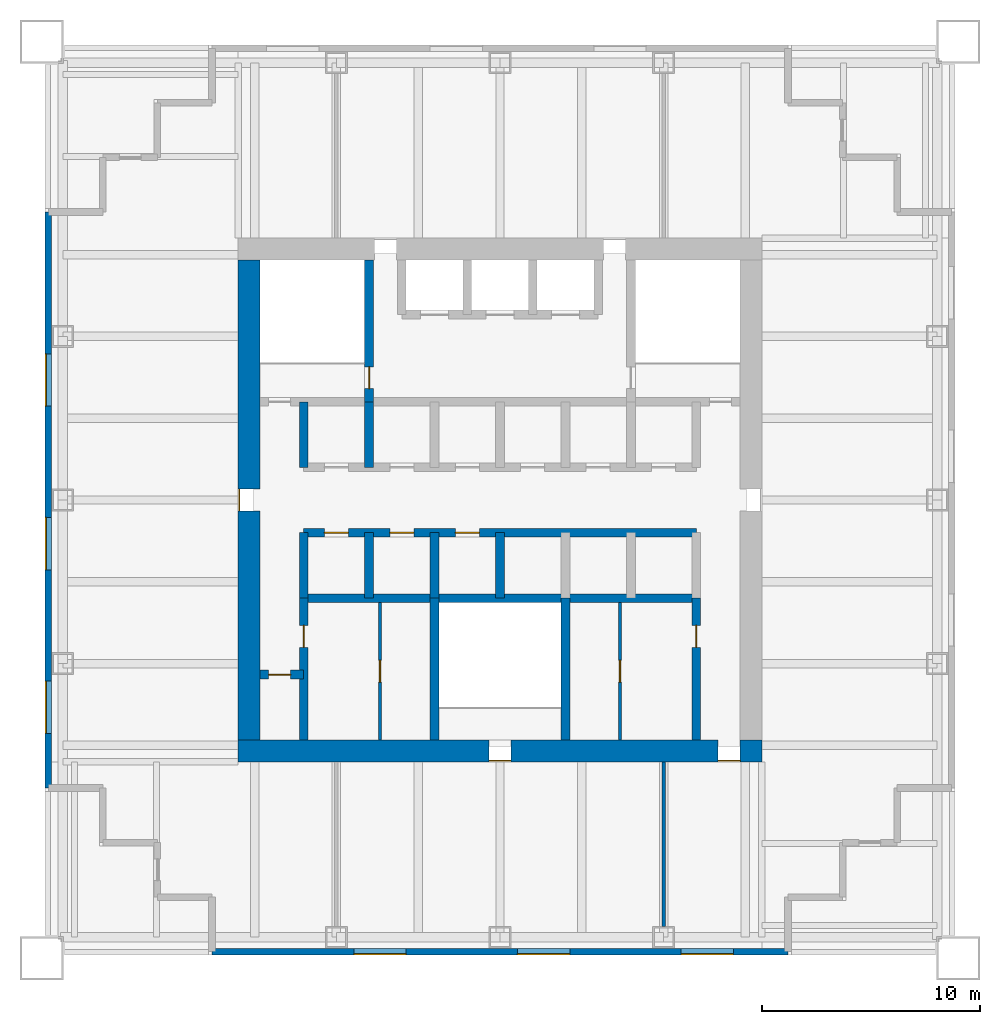
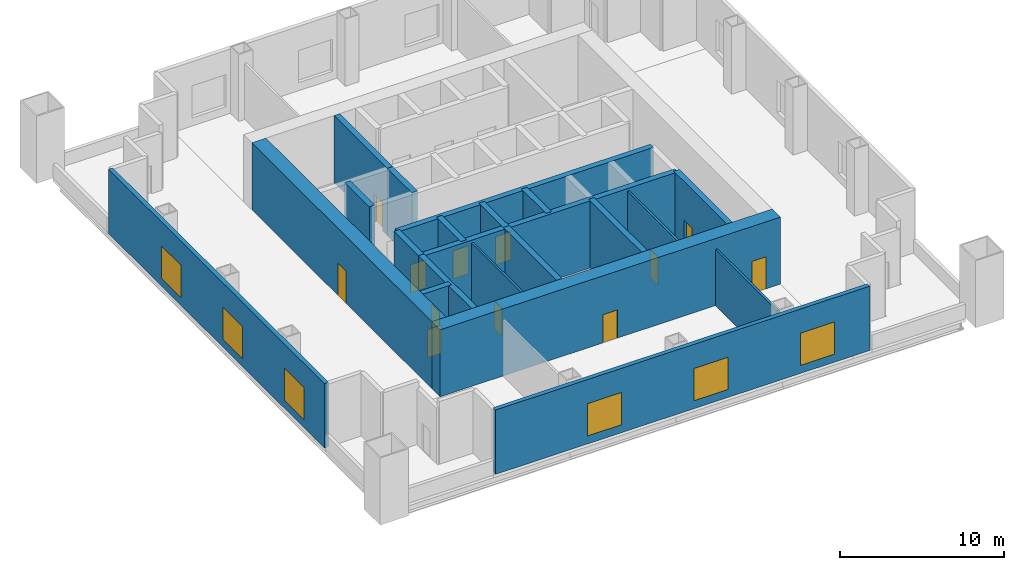
# One storey, part 2 of 5: 21 walls, 12 doors, 6 windows, 18 openings.
"""IFC4 building model written with IfcOpenShell, lengths in metres."""

from ifc_helpers import new_model, si_unit, direction, frame, frame_2d, origin, place, context, subcontext, project, spatial, rectangle, extrude, material, layer, layer_set, type_object, element, fill, save


model = new_model("IFC4")

# Units and contexts
model_context = context("Model", 3, precision=1e-05, world=origin(), true_north=direction((0.0, 1.0)))
body_context = subcontext(model_context, "Body", "Model", "MODEL_VIEW")
ifc_project = project(units=[si_unit("LENGTHUNIT", "METRE"), si_unit("AREAUNIT", "SQUARE_METRE"), si_unit("VOLUMEUNIT", "CUBIC_METRE"), si_unit("PLANEANGLEUNIT", "RADIAN"), si_unit("MASSUNIT", "GRAM", prefix="KILO")], contexts=[model_context])

# Site, building, storey
site_placement = place(None, origin())
site = spatial("IfcSite", under=ifc_project, at=site_placement, CompositionType="ELEMENT")
building_placement = place(site_placement, origin())
building = spatial("IfcBuilding", under=site, at=building_placement, Name="Tarangal Relay Tower", CompositionType="ELEMENT")
storey_placement = place(building_placement, frame((0.0, 0.0, 341.89990234375)))
storey = spatial("IfcBuildingStorey", under=building, at=storey_placement, Name="L76", CompositionType="ELEMENT", Elevation=341.89990234375)

# Wall, openings, doors
ifc_material_1 = material(Name="Concrete fc' 60 MPa", Category="concrete")
ifc_layer_1 = layer(ifc_material_1, 0.39990234375)
ifc_layer_set_1 = layer_set([ifc_layer_1], Name="Core inner wall 400")
wall_type_1 = type_object("IfcWallType", Name="Core inner wall 400", PredefinedType="SHEAR", material=ifc_layer_set_1)
wall_1_placement = place(storey_placement, frame((-9.0, -1.5, 0.0), z_axis=(0.0, 0.0, 1.0), x_axis=(1.0, 0.0, 0.0)))
wall_1 = element("IfcWall", 1, at=wall_1_placement, inside=storey, type_object=wall_type_1, Name="Core wall YM15 L76", PredefinedType="SHEAR", context=body_context, shape_type="SweptSolid", body=[
    extrude(rectangle(XDim=18.0, YDim=0.39990234375, at=frame_2d((9.0, 0.0))), origin(), (0.0, 0.0, 1.0), 5.0),
])
opening_1_placement = place(wall_1_placement, frame((0.949951171875, 0.0, 0.0)))
opening_1 = element("IfcOpeningElement", 2, at=opening_1_placement, cuts=wall_1, Name="Opening D4", PredefinedType="OPENING", context=body_context, shape_type="SweptSolid", body=[
    extrude(rectangle(XDim=1.10009765625, YDim=2.10009765625, at=frame_2d((0.550048828125, 1.050048828125))), frame((0.0, 0.2099609375, 0.0), z_axis=(0.0, -1.0, 0.0), x_axis=(1.0, 0.0, 0.0)), (0.0, 0.0, 1.0), 0.419921875),
])
opening_2_placement = place(wall_1_placement, frame((3.949951171875, 0.0, 0.0)))
opening_2 = element("IfcOpeningElement", 3, at=opening_2_placement, cuts=wall_1, Name="Opening D4", PredefinedType="OPENING", context=body_context, shape_type="SweptSolid", body=[
    extrude(rectangle(XDim=1.10009765625, YDim=2.10009765625, at=frame_2d((0.550048828125, 1.050048828125))), frame((0.0, 0.2099609375, 0.0), z_axis=(0.0, -1.0, 0.0), x_axis=(1.0, 0.0, 0.0)), (0.0, 0.0, 1.0), 0.419921875),
])
opening_3_placement = place(wall_1_placement, frame((6.949951171875, 0.0, 0.0)))
opening_3 = element("IfcOpeningElement", 4, at=opening_3_placement, cuts=wall_1, Name="Opening D4", PredefinedType="OPENING", context=body_context, shape_type="SweptSolid", body=[
    extrude(rectangle(XDim=1.10009765625, YDim=2.10009765625, at=frame_2d((0.550048828125, 1.050048828125))), frame((0.0, 0.2099609375, 0.0), z_axis=(0.0, -1.0, 0.0), x_axis=(1.0, 0.0, 0.0)), (0.0, 0.0, 1.0), 0.419921875),
])
ifc_material_2 = material(Name="Steel door with hardwood frame", Category="steel")
door_type_1 = type_object("IfcDoorType", Name="Core room door 1100 x 2100", OperationType="SINGLE_SWING_RIGHT", PredefinedType="DOOR", material=ifc_material_2)
door_1_placement = place(opening_1_placement, origin())
door_1 = element("IfcDoor", 5, at=door_1_placement, inside=storey, type_object=door_type_1, Name="Door D4 to back-of-house plant room L76-S1", OperationType="SINGLE_SWING_RIGHT", OverallHeight=2.10009765625, OverallWidth=1.10009765625, PredefinedType="DOOR", context=body_context, shape_type="SweptSolid", body=[
    extrude(rectangle(XDim=1.10009765625, YDim=2.10009765625, at=frame_2d((0.550048828125, 1.050048828125))), frame((0.0, 0.02490234375, 0.0), z_axis=(0.0, -1.0, 0.0), x_axis=(1.0, 0.0, 0.0)), (0.0, 0.0, 1.0), 0.050048828125),
])
fill(opening_1, door_1)
door_2_placement = place(opening_2_placement, origin())
door_2 = element("IfcDoor", 6, at=door_2_placement, inside=storey, type_object=door_type_1, Name="Door D4 to back-of-house plant room L76-S2", OperationType="SINGLE_SWING_RIGHT", OverallHeight=2.10009765625, OverallWidth=1.10009765625, PredefinedType="DOOR", context=body_context, shape_type="SweptSolid", body=[
    extrude(rectangle(XDim=1.10009765625, YDim=2.10009765625, at=frame_2d((0.550048828125, 1.050048828125))), frame((0.0, 0.02490234375, 0.0), z_axis=(0.0, -1.0, 0.0), x_axis=(1.0, 0.0, 0.0)), (0.0, 0.0, 1.0), 0.050048828125),
])
fill(opening_2, door_2)
door_3_placement = place(opening_3_placement, origin())
door_3 = element("IfcDoor", 7, at=door_3_placement, inside=storey, type_object=door_type_1, Name="Door D4 to back-of-house plant room L76-S3", OperationType="SINGLE_SWING_RIGHT", OverallHeight=2.10009765625, OverallWidth=1.10009765625, PredefinedType="DOOR", context=body_context, shape_type="SweptSolid", body=[
    extrude(rectangle(XDim=1.10009765625, YDim=2.10009765625, at=frame_2d((0.550048828125, 1.050048828125))), frame((0.0, 0.02490234375, 0.0), z_axis=(0.0, -1.0, 0.0), x_axis=(1.0, 0.0, 0.0)), (0.0, 0.0, 1.0), 0.050048828125),
])
fill(opening_3, door_3)

# Wall
wall_2_placement = place(storey_placement, frame((-9.0, -4.5, 0.0), z_axis=(0.0, 0.0, 1.0), x_axis=(1.0, 0.0, 0.0)))
element("IfcWall", 8, at=wall_2_placement, inside=storey, type_object=wall_type_1, Name="Core wall YM45 L76", PredefinedType="SHEAR", context=body_context, shape_type="SweptSolid", body=[
    extrude(rectangle(XDim=18.0, YDim=0.39990234375, at=frame_2d((9.0, 0.0))), origin(), (0.0, 0.0, 1.0), 5.0),
])

# Wall, opening, door
wall_3_placement = place(storey_placement, frame((-11.0, -8.0, 0.0), z_axis=(0.0, 0.0, 1.0), x_axis=(1.0, 0.0, 0.0)))
wall_3 = element("IfcWall", 9, at=wall_3_placement, inside=storey, type_object=wall_type_1, Name="Core wall YM8 L76", PredefinedType="SHEAR", context=body_context, shape_type="SweptSolid", body=[
    extrude(rectangle(XDim=2.0, YDim=0.39990234375, at=frame_2d((1.0, 0.0))), origin(), (0.0, 0.0, 1.0), 5.0),
])
opening_4_placement = place(wall_3_placement, frame((0.39990234375, 0.0, 0.0)))
opening_4 = element("IfcOpeningElement", 10, at=opening_4_placement, cuts=wall_3, Name="Opening D1", PredefinedType="OPENING", context=body_context, shape_type="SweptSolid", body=[
    extrude(rectangle(XDim=1.0, YDim=2.10009765625, at=frame_2d((0.5, 1.050048828125))), frame((0.0, 0.2099609375, 0.0), z_axis=(0.0, -1.0, 0.0), x_axis=(1.0, 0.0, 0.0)), (0.0, 0.0, 1.0), 0.419921875),
])
ifc_material_3 = material(Name="Hardwood door", Category="wood")
door_type_2 = type_object("IfcDoorType", Name="WC door 1000 x 2100", OperationType="SINGLE_SWING_LEFT", PredefinedType="DOOR", material=ifc_material_3)
door_4_placement = place(opening_4_placement, origin())
door_4 = element("IfcDoor", 11, at=door_4_placement, inside=storey, type_object=door_type_2, Name="Accessible WC door L76", OperationType="SINGLE_SWING_LEFT", OverallHeight=2.10009765625, OverallWidth=1.0, PredefinedType="DOOR", context=body_context, shape_type="SweptSolid", body=[
    extrude(rectangle(XDim=1.0, YDim=2.10009765625, at=frame_2d((0.5, 1.050048828125))), frame((0.0, 0.02490234375, 0.0), z_axis=(0.0, -1.0, 0.0), x_axis=(1.0, 0.0, 0.0)), (0.0, 0.0, 1.0), 0.050048828125),
])
fill(opening_4, door_4)

# Walls
for number, where, z_axis, x_axis, name in (
    (12, (-9.0, 1.5, 0.0), (0.0, 0.0, 1.0), (0.0, 1.0, 0.0), "Core wall XM9N L76"),
    (13, (-9.0, -4.5, 0.0), (0.0, 0.0, 1.0), (0.0, 1.0, 0.0), "Core wall XM9S L76"),
    (14, (-6.0, 1.5, 0.0), (0.0, 0.0, 1.0), (0.0, 1.0, 0.0), "Core wall XM6N L76"),
    (15, (-6.0, -4.5, 0.0), (0.0, 0.0, 1.0), (0.0, 1.0, 0.0), "Core wall XM6S L76"),
    (16, (-3.0, -4.5, 0.0), (0.0, 0.0, 1.0), (0.0, 1.0, 0.0), "Core wall XM3S L76"),
    (17, (0.0, -4.5, 0.0), (0.0, 0.0, 1.0), (0.0, 1.0, 0.0), "Core wall X0S L76"),
):
    element("IfcWall", number, at=place(storey_placement, frame(where, z_axis=z_axis, x_axis=x_axis)), inside=storey, type_object=wall_type_1, Name=name, PredefinedType="SHEAR", context=body_context, shape_type="SweptSolid", body=[
        extrude(rectangle(XDim=3.0, YDim=0.39990234375, at=frame_2d((1.5, 0.0))), origin(), (0.0, 0.0, 1.0), 5.0),
    ])

# Wall, opening, door
wall_4_placement = place(storey_placement, frame((-6.0, 4.5, 0.0), z_axis=(0.0, 0.0, 1.0), x_axis=(0.0, 1.0, 0.0)))
wall_4 = element("IfcWall", 18, at=wall_4_placement, inside=storey, type_object=wall_type_1, Name="Core wall XM6 L76", PredefinedType="SHEAR", context=body_context, shape_type="SweptSolid", body=[
    extrude(rectangle(XDim=6.5, YDim=0.39990234375, at=frame_2d((3.25, 0.0))), origin(), (0.0, 0.0, 1.0), 5.0),
])
opening_5_placement = place(wall_4_placement, frame((0.60009765625, 0.0, 0.0)))
opening_5 = element("IfcOpeningElement", 19, at=opening_5_placement, cuts=wall_4, Name="Opening FD1", PredefinedType="OPENING", context=body_context, shape_type="SweptSolid", body=[
    extrude(rectangle(XDim=1.0, YDim=2.10009765625, at=frame_2d((0.5, 1.050048828125))), frame((0.0, 0.2099609375, 0.0), z_axis=(0.0, -1.0, 0.0), x_axis=(1.0, 0.0, 0.0)), (0.0, 0.0, 1.0), 0.419921875),
])
door_type_3 = type_object("IfcDoorType", Name="Fire door 1000 x 2100", OperationType="SINGLE_SWING_LEFT", PredefinedType="DOOR", material=ifc_material_2)
door_5_placement = place(opening_5_placement, origin())
door_5 = element("IfcDoor", 20, at=door_5_placement, inside=storey, type_object=door_type_3, Name="Stair ST-A door from fire-fighting lobby L76", OperationType="SINGLE_SWING_LEFT", OverallHeight=2.10009765625, OverallWidth=1.0, PredefinedType="DOOR", context=body_context, shape_type="SweptSolid", body=[
    extrude(rectangle(XDim=1.0, YDim=2.10009765625, at=frame_2d((0.5, 1.050048828125))), frame((0.0, 0.02490234375, 0.0), z_axis=(0.0, -1.0, 0.0), x_axis=(1.0, 0.0, 0.0)), (0.0, 0.0, 1.0), 0.050048828125),
])
fill(opening_5, door_5)

wall_5_placement = place(storey_placement, frame((-9.0, -11.0, 0.0), z_axis=(0.0, 0.0, 1.0), x_axis=(0.0, 1.0, 0.0)))
wall_5 = element("IfcWall", 21, at=wall_5_placement, inside=storey, type_object=wall_type_1, Name="Core wall XM9W L76", PredefinedType="SHEAR", context=body_context, shape_type="SweptSolid", body=[
    extrude(rectangle(XDim=6.5, YDim=0.39990234375, at=frame_2d((3.25, 0.0))), origin(), (0.0, 0.0, 1.0), 5.0),
])
opening_6_placement = place(wall_5_placement, frame((4.25, 0.0, 0.0)))
opening_6 = element("IfcOpeningElement", 22, at=opening_6_placement, cuts=wall_5, Name="Opening D1", PredefinedType="OPENING", context=body_context, shape_type="SweptSolid", body=[
    extrude(rectangle(XDim=1.0, YDim=2.10009765625, at=frame_2d((0.5, 1.050048828125))), frame((0.0, 0.2099609375, 0.0), z_axis=(0.0, -1.0, 0.0), x_axis=(1.0, 0.0, 0.0)), (0.0, 0.0, 1.0), 0.419921875),
])
door_6_placement = place(opening_6_placement, origin())
door_6 = element("IfcDoor", 23, at=door_6_placement, inside=storey, type_object=door_type_2, Name="Male WC door L76", OperationType="SINGLE_SWING_LEFT", OverallHeight=2.10009765625, OverallWidth=1.0, PredefinedType="DOOR", context=body_context, shape_type="SweptSolid", body=[
    extrude(rectangle(XDim=1.0, YDim=2.10009765625, at=frame_2d((0.5, 1.050048828125))), frame((0.0, 0.02490234375, 0.0), z_axis=(0.0, -1.0, 0.0), x_axis=(1.0, 0.0, 0.0)), (0.0, 0.0, 1.0), 0.050048828125),
])
fill(opening_6, door_6)

wall_6_placement = place(storey_placement, frame((9.0, -11.0, 0.0), z_axis=(0.0, 0.0, 1.0), x_axis=(0.0, 1.0, 0.0)))
wall_6 = element("IfcWall", 24, at=wall_6_placement, inside=storey, type_object=wall_type_1, Name="Core wall X9W L76", PredefinedType="SHEAR", context=body_context, shape_type="SweptSolid", body=[
    extrude(rectangle(XDim=6.5, YDim=0.39990234375, at=frame_2d((3.25, 0.0))), origin(), (0.0, 0.0, 1.0), 5.0),
])
opening_7_placement = place(wall_6_placement, frame((4.25, 0.0, 0.0)))
opening_7 = element("IfcOpeningElement", 25, at=opening_7_placement, cuts=wall_6, Name="Opening D1", PredefinedType="OPENING", context=body_context, shape_type="SweptSolid", body=[
    extrude(rectangle(XDim=1.0, YDim=2.10009765625, at=frame_2d((0.5, 1.050048828125))), frame((0.0, 0.2099609375, 0.0), z_axis=(0.0, -1.0, 0.0), x_axis=(1.0, 0.0, 0.0)), (0.0, 0.0, 1.0), 0.419921875),
])
door_7_placement = place(opening_7_placement, origin())
door_7 = element("IfcDoor", 26, at=door_7_placement, inside=storey, type_object=door_type_2, Name="Female WC door L76", OperationType="SINGLE_SWING_LEFT", OverallHeight=2.10009765625, OverallWidth=1.0, PredefinedType="DOOR", context=body_context, shape_type="SweptSolid", body=[
    extrude(rectangle(XDim=1.0, YDim=2.10009765625, at=frame_2d((0.5, 1.050048828125))), frame((0.0, 0.02490234375, 0.0), z_axis=(0.0, -1.0, 0.0), x_axis=(1.0, 0.0, 0.0)), (0.0, 0.0, 1.0), 0.050048828125),
])
fill(opening_7, door_7)

# Walls
for number, where, z_axis, x_axis, name in (
    (27, (-3.0, -11.0, 0.0), (0.0, 0.0, 1.0), (0.0, 1.0, 0.0), "Core wall XM3W L76"),
    (28, (3.0, -11.0, 0.0), (0.0, 0.0, 1.0), (0.0, 1.0, 0.0), "Core wall X3W L76"),
):
    element("IfcWall", number, at=place(storey_placement, frame(where, z_axis=z_axis, x_axis=x_axis)), inside=storey, type_object=wall_type_1, Name=name, PredefinedType="SHEAR", context=body_context, shape_type="SweptSolid", body=[
        extrude(rectangle(XDim=6.5, YDim=0.39990234375, at=frame_2d((3.25, 0.0))), origin(), (0.0, 0.0, 1.0), 5.0),
    ])

# Wall, openings, doors
ifc_layer_2 = layer(ifc_material_1, 1.0)
ifc_layer_set_2 = layer_set([ifc_layer_2], Name="Core wall 1000")
wall_type_2 = type_object("IfcWallType", Name="Core wall 1000", PredefinedType="SHEAR", material=ifc_layer_set_2)
wall_7_placement = place(storey_placement, frame((12.0, -11.5, 0.0), z_axis=(0.0, 0.0, 1.0), x_axis=(-1.0, 0.0, 0.0)))
wall_7 = element("IfcWall", 29, at=wall_7_placement, inside=storey, type_object=wall_type_2, Name="Core wall S L76", PredefinedType="SHEAR", context=body_context, shape_type="SweptSolid", body=[
    extrude(rectangle(XDim=24.0, YDim=1.0, at=frame_2d((12.0, 0.0))), origin(), (0.0, 0.0, 1.0), 5.0),
])
opening_8_placement = place(wall_7_placement, frame((11.5, 0.0, 0.0)))
opening_8 = element("IfcOpeningElement", 30, at=opening_8_placement, cuts=wall_7, Name="Opening FD1", PredefinedType="OPENING", context=body_context, shape_type="SweptSolid", body=[
    extrude(rectangle(XDim=1.0, YDim=2.10009765625, at=frame_2d((0.5, 1.050048828125))), frame((0.0, 0.510009765625, 0.0), z_axis=(0.0, -1.0, 0.0), x_axis=(1.0, 0.0, 0.0)), (0.0, 0.0, 1.0), 1.02001953125),
])
opening_9_placement = place(wall_7_placement, frame((1.0, 0.0, 0.0)))
opening_9 = element("IfcOpeningElement", 31, at=opening_9_placement, cuts=wall_7, Name="Opening FD3", PredefinedType="OPENING", context=body_context, shape_type="SweptSolid", body=[
    extrude(rectangle(XDim=1.0, YDim=2.39990234375, at=frame_2d((0.5, 1.199951171875))), frame((0.0, 0.510009765625, 0.0), z_axis=(0.0, -1.0, 0.0), x_axis=(1.0, 0.0, 0.0)), (0.0, 0.0, 1.0), 1.02001953125),
])
door_8_placement = place(opening_8_placement, origin())
door_8 = element("IfcDoor", 32, at=door_8_placement, inside=storey, type_object=door_type_3, Name="Stair ST-C door L76", OperationType="SINGLE_SWING_LEFT", OverallHeight=2.10009765625, OverallWidth=1.0, PredefinedType="DOOR", context=body_context, shape_type="SweptSolid", body=[
    extrude(rectangle(XDim=1.0, YDim=2.10009765625, at=frame_2d((0.5, 1.050048828125))), frame((0.0, 0.48486328125, 0.0), z_axis=(0.0, -1.0, 0.0), x_axis=(1.0, 0.0, 0.0)), (0.0, 0.0, 1.0), 0.050048828125),
])
fill(opening_8, door_8)
door_type_4 = type_object("IfcDoorType", Name="Fire door 1000 x 2400 core entry", OperationType="SINGLE_SWING_RIGHT", PredefinedType="DOOR", material=ifc_material_2)
door_9_placement = place(opening_9_placement, origin())
door_9 = element("IfcDoor", 33, at=door_9_placement, inside=storey, type_object=door_type_4, Name="Core entry door south east L76", OperationType="SINGLE_SWING_RIGHT", OverallHeight=2.39990234375, OverallWidth=1.0, PredefinedType="DOOR", context=body_context, shape_type="SweptSolid", body=[
    extrude(rectangle(XDim=1.0, YDim=2.39990234375, at=frame_2d((0.5, 1.199951171875))), frame((0.0, 0.48486328125, 0.0), z_axis=(0.0, -1.0, 0.0), x_axis=(1.0, 0.0, 0.0)), (0.0, 0.0, 1.0), 0.050048828125),
])
fill(opening_9, door_9)

# Wall, opening, door
wall_8_placement = place(storey_placement, frame((-11.5, -11.0, 0.0), z_axis=(0.0, 0.0, 1.0), x_axis=(0.0, 1.0, 0.0)))
wall_8 = element("IfcWall", 34, at=wall_8_placement, inside=storey, type_object=wall_type_2, Name="Core wall W L76", PredefinedType="SHEAR", context=body_context, shape_type="SweptSolid", body=[
    extrude(rectangle(XDim=22.0, YDim=1.0, at=frame_2d((11.0, 0.0))), origin(), (0.0, 0.0, 1.0), 5.0),
])
opening_10_placement = place(wall_8_placement, frame((10.5, 0.0, 0.0)))
opening_10 = element("IfcOpeningElement", 35, at=opening_10_placement, cuts=wall_8, Name="Opening FD3", PredefinedType="OPENING", context=body_context, shape_type="SweptSolid", body=[
    extrude(rectangle(XDim=1.0, YDim=2.39990234375, at=frame_2d((0.5, 1.199951171875))), frame((0.0, 0.510009765625, 0.0), z_axis=(0.0, -1.0, 0.0), x_axis=(1.0, 0.0, 0.0)), (0.0, 0.0, 1.0), 1.02001953125),
])
door_10_placement = place(opening_10_placement, origin())
door_10 = element("IfcDoor", 36, at=door_10_placement, inside=storey, type_object=door_type_4, Name="Core entry door west L76", OperationType="SINGLE_SWING_RIGHT", OverallHeight=2.39990234375, OverallWidth=1.0, PredefinedType="DOOR", context=body_context, shape_type="SweptSolid", body=[
    extrude(rectangle(XDim=1.0, YDim=2.39990234375, at=frame_2d((0.5, 1.199951171875))), frame((0.0, 0.48486328125, 0.0), z_axis=(0.0, -1.0, 0.0), x_axis=(1.0, 0.0, 0.0)), (0.0, 0.0, 1.0), 0.050048828125),
])
fill(opening_10, door_10)

# Wall, openings, windows
ifc_material_4 = material(Name="Insulated precast concrete fc' 40 MPa", Category="concrete")
ifc_layer_3 = layer(ifc_material_4, 0.300048828125)
ifc_layer_set_3 = layer_set([ifc_layer_3], Name="Insulated precast concrete fc' 40 MPa")
wall_type_3 = type_object("IfcWallType", Name="Facade wall precast 300", PredefinedType="SOLIDWALL", material=ifc_layer_set_3)
wall_9_placement = place(storey_placement, frame((13.199951171875, -20.699951171875, 0.0), z_axis=(0.0, 0.0, 1.0), x_axis=(-1.0, 0.0, 0.0)))
wall_9 = element("IfcWall", 37, at=wall_9_placement, inside=storey, type_object=wall_type_3, Name="Facade wall S facade L76", PredefinedType="SOLIDWALL", context=body_context, shape_type="SweptSolid", body=[
    extrude(rectangle(XDim=26.39990234375, YDim=0.300048828125, at=frame_2d((13.199951171875, 0.0))), origin(), (0.0, 0.0, 1.0), 4.800048828125),
])
opening_11_placement = place(wall_9_placement, frame((2.5, 0.0, 0.60009765625)))
opening_11 = element("IfcOpeningElement", 38, at=opening_11_placement, cuts=wall_9, Name="Opening LV1", PredefinedType="OPENING", context=body_context, shape_type="SweptSolid", body=[
    extrude(rectangle(XDim=2.39990234375, YDim=2.39990234375, at=frame_2d((1.199951171875, 1.199951171875))), frame((0.0, 0.159912109375, 0.0), z_axis=(0.0, -1.0, 0.0), x_axis=(1.0, 0.0, 0.0)), (0.0, 0.0, 1.0), 0.320068359375),
])
opening_12_placement = place(wall_9_placement, frame((10.0, 0.0, 0.60009765625)))
opening_12 = element("IfcOpeningElement", 39, at=opening_12_placement, cuts=wall_9, Name="Opening LV1", PredefinedType="OPENING", context=body_context, shape_type="SweptSolid", body=[
    extrude(rectangle(XDim=2.39990234375, YDim=2.39990234375, at=frame_2d((1.199951171875, 1.199951171875))), frame((0.0, 0.159912109375, 0.0), z_axis=(0.0, -1.0, 0.0), x_axis=(1.0, 0.0, 0.0)), (0.0, 0.0, 1.0), 0.320068359375),
])
opening_13_placement = place(wall_9_placement, frame((17.5, 0.0, 0.60009765625)))
opening_13 = element("IfcOpeningElement", 40, at=opening_13_placement, cuts=wall_9, Name="Opening LV1", PredefinedType="OPENING", context=body_context, shape_type="SweptSolid", body=[
    extrude(rectangle(XDim=2.39990234375, YDim=2.39990234375, at=frame_2d((1.199951171875, 1.199951171875))), frame((0.0, 0.159912109375, 0.0), z_axis=(0.0, -1.0, 0.0), x_axis=(1.0, 0.0, 0.0)), (0.0, 0.0, 1.0), 0.320068359375),
])
ifc_material_5 = material(Name="Black aluminium weather louvre", Category="aluminium")
window_type = type_object("IfcWindowType", Name="Louvre 2400 x 2400", PartitioningType="SINGLE_PANEL", PredefinedType="WINDOW", material=ifc_material_5)
window_1_placement = place(opening_11_placement, origin())
window_1 = element("IfcWindow", 41, at=window_1_placement, inside=storey, type_object=window_type, Name="Louvre LV1 S facade L76", OverallHeight=2.39990234375, OverallWidth=2.39990234375, PartitioningType="SINGLE_PANEL", PredefinedType="WINDOW", context=body_context, shape_type="SweptSolid", body=[
    extrude(rectangle(XDim=2.39990234375, YDim=2.39990234375, at=frame_2d((1.199951171875, 1.199951171875))), frame((0.0, 0.150146484375, 0.0), z_axis=(0.0, -1.0, 0.0), x_axis=(1.0, 0.0, 0.0)), (0.0, 0.0, 1.0), 0.06005859375),
])
fill(opening_11, window_1)
window_2_placement = place(opening_12_placement, origin())
window_2 = element("IfcWindow", 42, at=window_2_placement, inside=storey, type_object=window_type, Name="Louvre LV1 S facade L76", OverallHeight=2.39990234375, OverallWidth=2.39990234375, PartitioningType="SINGLE_PANEL", PredefinedType="WINDOW", context=body_context, shape_type="SweptSolid", body=[
    extrude(rectangle(XDim=2.39990234375, YDim=2.39990234375, at=frame_2d((1.199951171875, 1.199951171875))), frame((0.0, 0.150146484375, 0.0), z_axis=(0.0, -1.0, 0.0), x_axis=(1.0, 0.0, 0.0)), (0.0, 0.0, 1.0), 0.06005859375),
])
fill(opening_12, window_2)
window_3_placement = place(opening_13_placement, origin())
window_3 = element("IfcWindow", 43, at=window_3_placement, inside=storey, type_object=window_type, Name="Louvre LV1 S facade L76", OverallHeight=2.39990234375, OverallWidth=2.39990234375, PartitioningType="SINGLE_PANEL", PredefinedType="WINDOW", context=body_context, shape_type="SweptSolid", body=[
    extrude(rectangle(XDim=2.39990234375, YDim=2.39990234375, at=frame_2d((1.199951171875, 1.199951171875))), frame((0.0, 0.150146484375, 0.0), z_axis=(0.0, -1.0, 0.0), x_axis=(1.0, 0.0, 0.0)), (0.0, 0.0, 1.0), 0.06005859375),
])
fill(opening_13, window_3)

wall_10_placement = place(storey_placement, frame((-20.699951171875, -13.199951171875, 0.0), z_axis=(0.0, 0.0, 1.0), x_axis=(0.0, 1.0, 0.0)))
wall_10 = element("IfcWall", 44, at=wall_10_placement, inside=storey, type_object=wall_type_3, Name="Facade wall W facade L76", PredefinedType="SOLIDWALL", context=body_context, shape_type="SweptSolid", body=[
    extrude(rectangle(XDim=26.39990234375, YDim=0.300048828125, at=frame_2d((13.199951171875, 0.0))), origin(), (0.0, 0.0, 1.0), 4.800048828125),
])
opening_14_placement = place(wall_10_placement, frame((2.5, 0.0, 0.60009765625)))
opening_14 = element("IfcOpeningElement", 45, at=opening_14_placement, cuts=wall_10, Name="Opening LV1", PredefinedType="OPENING", context=body_context, shape_type="SweptSolid", body=[
    extrude(rectangle(XDim=2.39990234375, YDim=2.39990234375, at=frame_2d((1.199951171875, 1.199951171875))), frame((0.0, 0.159912109375, 0.0), z_axis=(0.0, -1.0, 0.0), x_axis=(1.0, 0.0, 0.0)), (0.0, 0.0, 1.0), 0.320068359375),
])
opening_15_placement = place(wall_10_placement, frame((10.0, 0.0, 0.60009765625)))
opening_15 = element("IfcOpeningElement", 46, at=opening_15_placement, cuts=wall_10, Name="Opening LV1", PredefinedType="OPENING", context=body_context, shape_type="SweptSolid", body=[
    extrude(rectangle(XDim=2.39990234375, YDim=2.39990234375, at=frame_2d((1.199951171875, 1.199951171875))), frame((0.0, 0.159912109375, 0.0), z_axis=(0.0, -1.0, 0.0), x_axis=(1.0, 0.0, 0.0)), (0.0, 0.0, 1.0), 0.320068359375),
])
opening_16_placement = place(wall_10_placement, frame((17.5, 0.0, 0.60009765625)))
opening_16 = element("IfcOpeningElement", 47, at=opening_16_placement, cuts=wall_10, Name="Opening LV1", PredefinedType="OPENING", context=body_context, shape_type="SweptSolid", body=[
    extrude(rectangle(XDim=2.39990234375, YDim=2.39990234375, at=frame_2d((1.199951171875, 1.199951171875))), frame((0.0, 0.159912109375, 0.0), z_axis=(0.0, -1.0, 0.0), x_axis=(1.0, 0.0, 0.0)), (0.0, 0.0, 1.0), 0.320068359375),
])
window_4_placement = place(opening_14_placement, origin())
window_4 = element("IfcWindow", 48, at=window_4_placement, inside=storey, type_object=window_type, Name="Louvre LV1 W facade L76", OverallHeight=2.39990234375, OverallWidth=2.39990234375, PartitioningType="SINGLE_PANEL", PredefinedType="WINDOW", context=body_context, shape_type="SweptSolid", body=[
    extrude(rectangle(XDim=2.39990234375, YDim=2.39990234375, at=frame_2d((1.199951171875, 1.199951171875))), frame((0.0, 0.150146484375, 0.0), z_axis=(0.0, -1.0, 0.0), x_axis=(1.0, 0.0, 0.0)), (0.0, 0.0, 1.0), 0.06005859375),
])
fill(opening_14, window_4)
window_5_placement = place(opening_15_placement, origin())
window_5 = element("IfcWindow", 49, at=window_5_placement, inside=storey, type_object=window_type, Name="Louvre LV1 W facade L76", OverallHeight=2.39990234375, OverallWidth=2.39990234375, PartitioningType="SINGLE_PANEL", PredefinedType="WINDOW", context=body_context, shape_type="SweptSolid", body=[
    extrude(rectangle(XDim=2.39990234375, YDim=2.39990234375, at=frame_2d((1.199951171875, 1.199951171875))), frame((0.0, 0.150146484375, 0.0), z_axis=(0.0, -1.0, 0.0), x_axis=(1.0, 0.0, 0.0)), (0.0, 0.0, 1.0), 0.06005859375),
])
fill(opening_15, window_5)
window_6_placement = place(opening_16_placement, origin())
window_6 = element("IfcWindow", 50, at=window_6_placement, inside=storey, type_object=window_type, Name="Louvre LV1 W facade L76", OverallHeight=2.39990234375, OverallWidth=2.39990234375, PartitioningType="SINGLE_PANEL", PredefinedType="WINDOW", context=body_context, shape_type="SweptSolid", body=[
    extrude(rectangle(XDim=2.39990234375, YDim=2.39990234375, at=frame_2d((1.199951171875, 1.199951171875))), frame((0.0, 0.150146484375, 0.0), z_axis=(0.0, -1.0, 0.0), x_axis=(1.0, 0.0, 0.0)), (0.0, 0.0, 1.0), 0.06005859375),
])
fill(opening_16, window_6)

# Wall
ifc_material_6 = material(Name="Gypsum board on steel studs", Category="steel")
ifc_layer_4 = layer(ifc_material_6, 0.14990234375)
ifc_layer_set_4 = layer_set([ifc_layer_4], Name="Partition 150")
wall_type_4 = type_object("IfcWallType", Name="Partition 150", PredefinedType="PARTITIONING", material=ifc_layer_set_4)
wall_11_placement = place(storey_placement, frame((7.5, -12.0, 0.0), z_axis=(0.0, 0.0, 1.0), x_axis=(0.0, -1.0, 0.0)))
element("IfcWall", 51, at=wall_11_placement, inside=storey, type_object=wall_type_4, Name="Partition PT1 L76", PredefinedType="PARTITIONING", context=body_context, shape_type="SweptSolid", body=[
    extrude(rectangle(XDim=7.5400390625, YDim=0.14990234375, at=frame_2d((3.77001953125, 0.0))), origin(), (0.0, 0.0, 1.0), 4.193115234375),
])

# Wall, opening, door
wall_12_placement = place(storey_placement, frame((-5.5, -11.0, 0.0), z_axis=(0.0, 0.0, 1.0), x_axis=(0.0, 1.0, 0.0)))
wall_12 = element("IfcWall", 52, at=wall_12_placement, inside=storey, type_object=wall_type_4, Name="Partition PT1 L76", PredefinedType="PARTITIONING", context=body_context, shape_type="SweptSolid", body=[
    extrude(rectangle(XDim=6.300048828125, YDim=0.14990234375, at=frame_2d((3.14990234375, 0.0))), origin(), (0.0, 0.0, 1.0), 4.800048828125),
])
opening_17_placement = place(wall_12_placement, frame((2.64990234375, 0.0, 0.0)))
opening_17 = element("IfcOpeningElement", 53, at=opening_17_placement, cuts=wall_12, Name="Opening D1", PredefinedType="OPENING", context=body_context, shape_type="SweptSolid", body=[
    extrude(rectangle(XDim=1.0, YDim=2.10009765625, at=frame_2d((0.5, 1.050048828125))), frame((0.0, 0.0849609375, 0.0), z_axis=(0.0, -1.0, 0.0), x_axis=(1.0, 0.0, 0.0)), (0.0, 0.0, 1.0), 0.169921875),
])
door_11_placement = place(opening_17_placement, origin())
door_11 = element("IfcDoor", 54, at=door_11_placement, inside=storey, type_object=door_type_2, Name="Door D1 to male shower and changing room L76-C7B", OperationType="SINGLE_SWING_LEFT", OverallHeight=2.10009765625, OverallWidth=1.0, PredefinedType="DOOR", context=body_context, shape_type="SweptSolid", body=[
    extrude(rectangle(XDim=1.0, YDim=2.10009765625, at=frame_2d((0.5, 1.050048828125))), frame((0.0, 0.02490234375, 0.0), z_axis=(0.0, -1.0, 0.0), x_axis=(1.0, 0.0, 0.0)), (0.0, 0.0, 1.0), 0.050048828125),
])
fill(opening_17, door_11)

wall_13_placement = place(storey_placement, frame((5.5, -11.0, 0.0), z_axis=(0.0, 0.0, 1.0), x_axis=(0.0, 1.0, 0.0)))
wall_13 = element("IfcWall", 55, at=wall_13_placement, inside=storey, type_object=wall_type_4, Name="Partition PT1 L76", PredefinedType="PARTITIONING", context=body_context, shape_type="SweptSolid", body=[
    extrude(rectangle(XDim=6.300048828125, YDim=0.14990234375, at=frame_2d((3.14990234375, 0.0))), origin(), (0.0, 0.0, 1.0), 4.800048828125),
])
opening_18_placement = place(wall_13_placement, frame((2.64990234375, 0.0, 0.0)))
opening_18 = element("IfcOpeningElement", 56, at=opening_18_placement, cuts=wall_13, Name="Opening D1", PredefinedType="OPENING", context=body_context, shape_type="SweptSolid", body=[
    extrude(rectangle(XDim=1.0, YDim=2.10009765625, at=frame_2d((0.5, 1.050048828125))), frame((0.0, 0.0849609375, 0.0), z_axis=(0.0, -1.0, 0.0), x_axis=(1.0, 0.0, 0.0)), (0.0, 0.0, 1.0), 0.169921875),
])
door_12_placement = place(opening_18_placement, origin())
door_12 = element("IfcDoor", 57, at=door_12_placement, inside=storey, type_object=door_type_2, Name="Door D1 to female shower and changing room L76-C10B", OperationType="SINGLE_SWING_LEFT", OverallHeight=2.10009765625, OverallWidth=1.0, PredefinedType="DOOR", context=body_context, shape_type="SweptSolid", body=[
    extrude(rectangle(XDim=1.0, YDim=2.10009765625, at=frame_2d((0.5, 1.050048828125))), frame((0.0, 0.02490234375, 0.0), z_axis=(0.0, -1.0, 0.0), x_axis=(1.0, 0.0, 0.0)), (0.0, 0.0, 1.0), 0.050048828125),
])
fill(opening_18, door_12)

save(model, "model.ifc")
